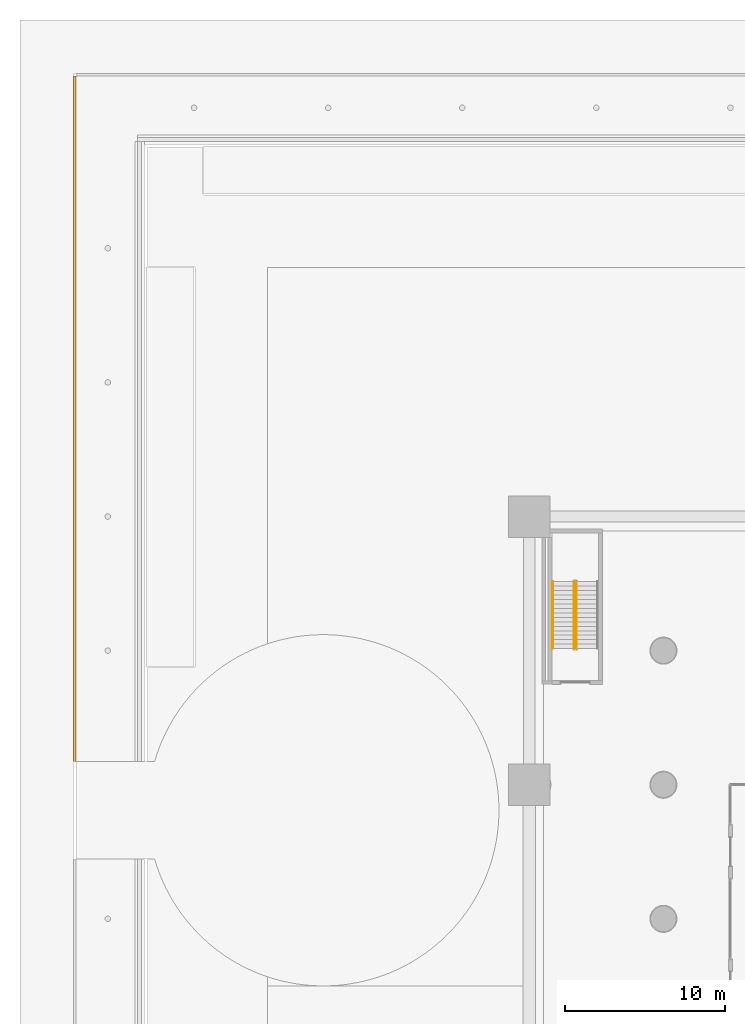
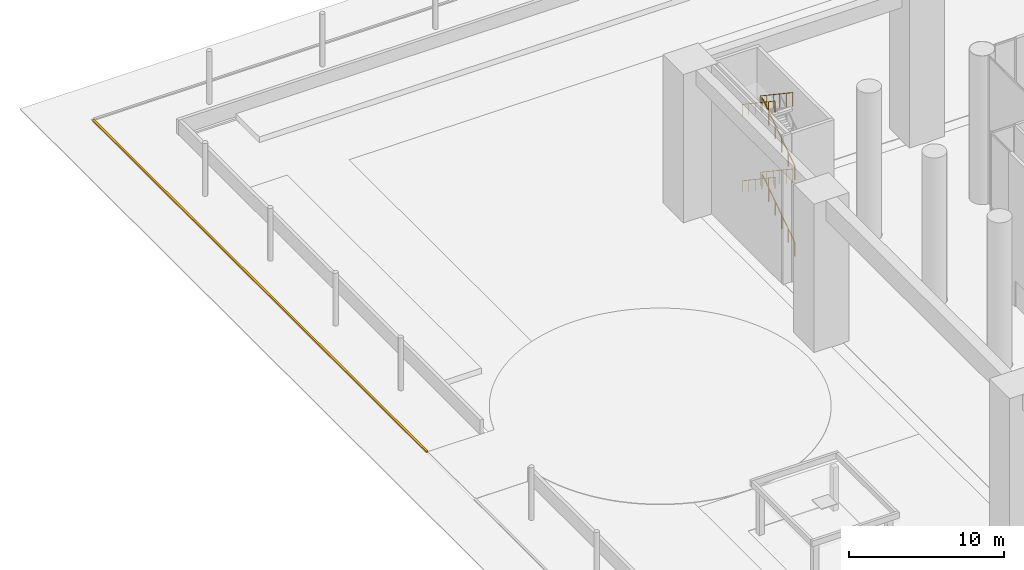
# One storey, part 39 of 52: 6 railings, 1 covering.
"""IFC4 building model written with IfcOpenShell, lengths in metres."""

from ifc_helpers import new_model, si_unit, direction, frame, origin, origin_2d, place, context, subcontext, project, spatial, polyline, circle, outline, extrude, material, layer, layer_set, type_object, element, save


model = new_model("IFC4")

# Units and contexts
model_context = context("Model", 3, precision=1e-05, world=origin(), true_north=direction((0.0, 1.0)))
body_context = subcontext(model_context, "Body", "Model", "MODEL_VIEW")
ifc_project = project(units=[si_unit("LENGTHUNIT", "METRE"), si_unit("AREAUNIT", "SQUARE_METRE"), si_unit("VOLUMEUNIT", "CUBIC_METRE"), si_unit("PLANEANGLEUNIT", "RADIAN"), si_unit("MASSUNIT", "GRAM", prefix="KILO")], contexts=[model_context])

# Site, building, storey
site_placement = place(None, origin())
site = spatial("IfcSite", under=ifc_project, at=site_placement, CompositionType="ELEMENT")
building_placement = place(site_placement, origin())
building = spatial("IfcBuilding", under=site, at=building_placement, Name="Cantera Rosa Tower", CompositionType="ELEMENT")
storey_placement = place(building_placement, origin())
storey = spatial("IfcBuildingStorey", under=building, at=storey_placement, Name="L00", CompositionType="ELEMENT", Elevation=0.0)

# Covering
ifc_material_1 = material(Name="Granite kerb", Category="masonry")
ifc_layer = layer(ifc_material_1, 0.14990234375)
ifc_layer_set = layer_set([ifc_layer], Name="Kerb 150x150")
covering_type = type_object("IfcCoveringType", Name="Kerb 150x150", PredefinedType="USERDEFINED", material=ifc_layer_set)
covering_placement = place(storey_placement, origin())
element("IfcCovering", 1, at=covering_placement, inside=storey, type_object=covering_type, Name="Kerb W2", ObjectType="KERB", PredefinedType="USERDEFINED", context=body_context, shape_type="SweptSolid", body=[
    extrude(outline(polyline([(-62.0, 14.050048828125), (-62.0, 57.0), (-62.14990234375, 57.0), (-62.14990234375, 14.050048828125), (-62.0, 14.050048828125)])), origin(), (0.0, 0.0, 1.0), 0.14990234375),
])

# Railings
ifc_material_2 = material(Name="Steel S355J2 (EN 10025-2)", Category="steel")
railing_type_1 = type_object("IfcRailingType", Name="STAIR GUARD 1100", PredefinedType="GUARDRAIL", material=ifc_material_2)
railing_1_placement = place(storey_placement, frame((-30.65087890625, 21.125, 0.1875)))
element("IfcRailing", 2, at=railing_1_placement, inside=storey, type_object=railing_type_1, Name="L00 ST-NW stair guard 1", PredefinedType="GUARDRAIL", context=body_context, shape_type="SweptSolid", body=[
    extrude(circle(Radius=0.02392578125, at=origin_2d()), frame((0.0, 0.0, 1.076171875), z_axis=(0.0, 0.830904186295, 0.556415522067), x_axis=(-1.0, 0.0, 0.0)), (0.0, 0.0, 1.0), 5.0546875),
    extrude(circle(Radius=0.02099609375, at=origin_2d()), origin(), (0.0, 0.0, 1.0), 1.052001953125),
    extrude(circle(Radius=0.02099609375, at=origin_2d()), frame((0.0, 0.840087890625, 0.5625)), (0.0, 0.0, 1.0), 1.052001953125),
    extrude(circle(Radius=0.02099609375, at=origin_2d()), frame((0.0, 1.679931640625, 1.125)), (0.0, 0.0, 1.0), 1.052001953125),
    extrude(circle(Radius=0.02099609375, at=origin_2d()), frame((0.0, 2.52001953125, 1.6875)), (0.0, 0.0, 1.0), 1.052001953125),
    extrude(circle(Radius=0.02099609375, at=origin_2d()), frame((0.0, 3.35986328125, 2.25)), (0.0, 0.0, 1.0), 1.052001953125),
    extrude(circle(Radius=0.02099609375, at=origin_2d()), frame((0.0, 4.199951171875, 2.8125)), (0.0, 0.0, 1.0), 1.052001953125),
])
railing_2_placement = place(storey_placement, frame((-30.799072265625, 25.324951171875, 3.1875)))
element("IfcRailing", 3, at=railing_2_placement, inside=storey, type_object=railing_type_1, Name="L00 ST-NW stair guard 3", PredefinedType="GUARDRAIL", context=body_context, shape_type="SweptSolid", body=[
    extrude(circle(Radius=0.02392578125, at=origin_2d()), frame((0.0, 0.0, 1.076171875), z_axis=(0.0, -0.830904186295, 0.556415522067), x_axis=(1.0, 0.0, 0.0)), (0.0, 0.0, 1.0), 5.0546875),
    extrude(circle(Radius=0.02099609375, at=origin_2d()), origin(), (0.0, 0.0, 1.0), 1.052001953125),
    extrude(circle(Radius=0.02099609375, at=origin_2d()), frame((0.0, -0.840087890625, 0.5625)), (0.0, 0.0, 1.0), 1.052001953125),
    extrude(circle(Radius=0.02099609375, at=origin_2d()), frame((0.0, -1.679931640625, 1.125)), (0.0, 0.0, 1.0), 1.052001953125),
    extrude(circle(Radius=0.02099609375, at=origin_2d()), frame((0.0, -2.52001953125, 1.6875)), (0.0, 0.0, 1.0), 1.052001953125),
    extrude(circle(Radius=0.02099609375, at=origin_2d()), frame((0.0, -3.35986328125, 2.25)), (0.0, 0.0, 1.0), 1.052001953125),
    extrude(circle(Radius=0.02099609375, at=origin_2d()), frame((0.0, -4.199951171875, 2.8125)), (0.0, 0.0, 1.0), 1.052001953125),
])
railing_3_placement = place(storey_placement, frame((-30.65087890625, 21.125, 6.1875)))
element("IfcRailing", 4, at=railing_3_placement, inside=storey, type_object=railing_type_1, Name="L00 ST-NW stair guard 5", PredefinedType="GUARDRAIL", context=body_context, shape_type="SweptSolid", body=[
    extrude(circle(Radius=0.02392578125, at=origin_2d()), frame((0.0, 0.0, 1.076171875), z_axis=(0.0, 0.830904186295, 0.556415522067), x_axis=(-1.0, 0.0, 0.0)), (0.0, 0.0, 1.0), 5.0546875),
    extrude(circle(Radius=0.02099609375, at=origin_2d()), origin(), (0.0, 0.0, 1.0), 1.052001953125),
    extrude(circle(Radius=0.02099609375, at=origin_2d()), frame((0.0, 0.840087890625, 0.5625)), (0.0, 0.0, 1.0), 1.052001953125),
    extrude(circle(Radius=0.02099609375, at=origin_2d()), frame((0.0, 1.679931640625, 1.125)), (0.0, 0.0, 1.0), 1.052001953125),
    extrude(circle(Radius=0.02099609375, at=origin_2d()), frame((0.0, 2.52001953125, 1.6875)), (0.0, 0.0, 1.0), 1.052001953125),
    extrude(circle(Radius=0.02099609375, at=origin_2d()), frame((0.0, 3.35986328125, 2.25)), (0.0, 0.0, 1.0), 1.052001953125),
    extrude(circle(Radius=0.02099609375, at=origin_2d()), frame((0.0, 4.199951171875, 2.8125)), (0.0, 0.0, 1.0), 1.052001953125),
])
railing_4_placement = place(storey_placement, frame((-30.799072265625, 25.324951171875, 9.1875)))
element("IfcRailing", 5, at=railing_4_placement, inside=storey, type_object=railing_type_1, Name="L00 ST-NW stair guard 7", PredefinedType="GUARDRAIL", context=body_context, shape_type="SweptSolid", body=[
    extrude(circle(Radius=0.02392578125, at=origin_2d()), frame((0.0, 0.0, 1.076171875), z_axis=(0.0, -0.830904186295, 0.556415522067), x_axis=(1.0, 0.0, 0.0)), (0.0, 0.0, 1.0), 5.0546875),
    extrude(circle(Radius=0.02099609375, at=origin_2d()), origin(), (0.0, 0.0, 1.0), 1.052001953125),
    extrude(circle(Radius=0.02099609375, at=origin_2d()), frame((0.0, -0.840087890625, 0.5625)), (0.0, 0.0, 1.0), 1.052001953125),
    extrude(circle(Radius=0.02099609375, at=origin_2d()), frame((0.0, -1.679931640625, 1.125)), (0.0, 0.0, 1.0), 1.052001953125),
    extrude(circle(Radius=0.02099609375, at=origin_2d()), frame((0.0, -2.52001953125, 1.6875)), (0.0, 0.0, 1.0), 1.052001953125),
    extrude(circle(Radius=0.02099609375, at=origin_2d()), frame((0.0, -3.35986328125, 2.25)), (0.0, 0.0, 1.0), 1.052001953125),
    extrude(circle(Radius=0.02099609375, at=origin_2d()), frame((0.0, -4.199951171875, 2.8125)), (0.0, 0.0, 1.0), 1.052001953125),
])
ifc_material_3 = material(Name="Steel S355J2 (EN 10025-2)", Category="steel")
railing_type_2 = type_object("IfcRailingType", Name="STAIR HANDRAIL 900", PredefinedType="HANDRAIL", material=ifc_material_3)
for number, where, name in (
    (6, (-32.125, 25.324951171875, 3.1875), "L00 ST-NW stair handrail 2"),
    (7, (-32.125, 25.324951171875, 9.1875), "L00 ST-NW stair handrail 4"),
):
    element("IfcRailing", number, at=place(storey_placement, frame(where)), inside=storey, type_object=railing_type_2, Name=name, PredefinedType="HANDRAIL", context=body_context, shape_type="SweptSolid", body=[
        extrude(circle(Radius=0.02392578125, at=origin_2d()), frame((0.0, 0.0, 0.8759765625), z_axis=(0.0, -0.830904186295, 0.556415522067), x_axis=(1.0, 0.0, 0.0)), (0.0, 0.0, 1.0), 5.0546875),
        extrude(circle(Radius=0.02099609375, at=origin_2d()), origin(), (0.0, 0.0, 1.0), 0.851806640625),
        extrude(circle(Radius=0.02099609375, at=origin_2d()), frame((0.0, -0.840087890625, 0.5625)), (0.0, 0.0, 1.0), 0.851806640625),
        extrude(circle(Radius=0.02099609375, at=origin_2d()), frame((0.0, -1.679931640625, 1.125)), (0.0, 0.0, 1.0), 0.851806640625),
        extrude(circle(Radius=0.02099609375, at=origin_2d()), frame((0.0, -2.52001953125, 1.6875)), (0.0, 0.0, 1.0), 0.851806640625),
        extrude(circle(Radius=0.02099609375, at=origin_2d()), frame((0.0, -3.35986328125, 2.25)), (0.0, 0.0, 1.0), 0.851806640625),
        extrude(circle(Radius=0.02099609375, at=origin_2d()), frame((0.0, -4.199951171875, 2.8125)), (0.0, 0.0, 1.0), 0.851806640625),
    ])

save(model, "model.ifc")
